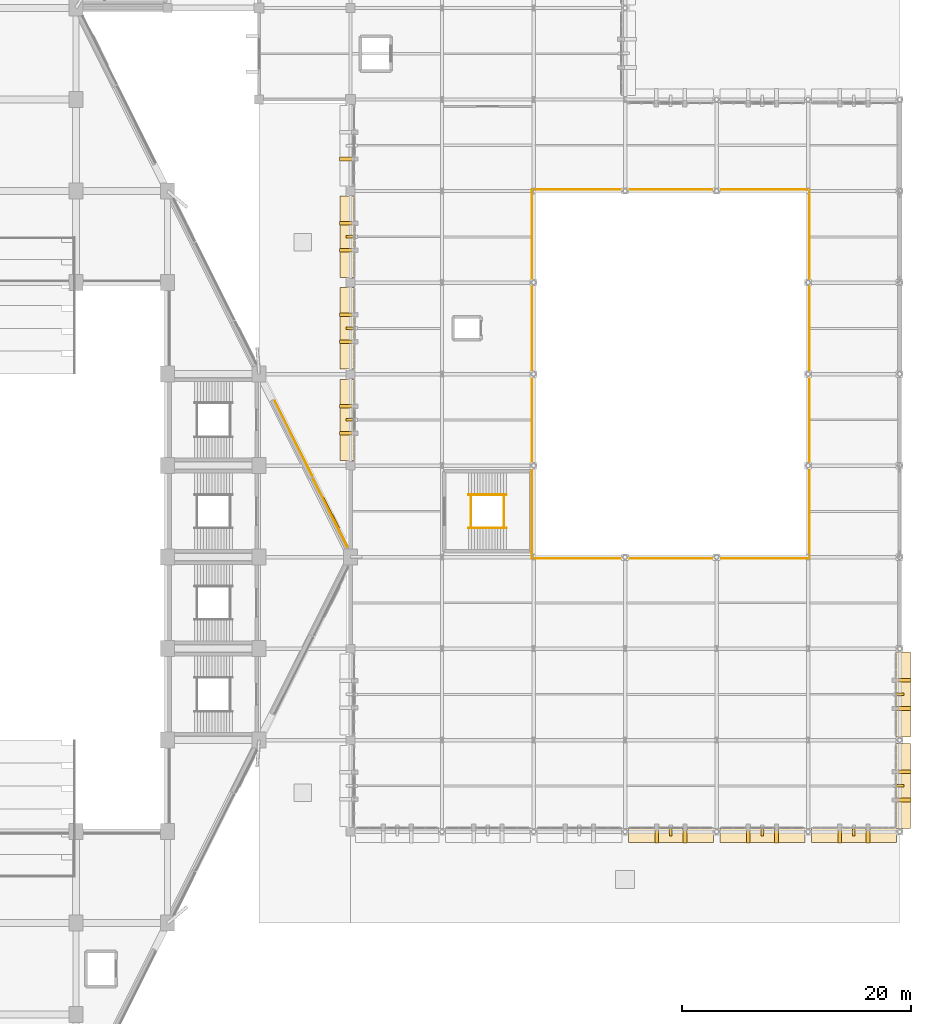
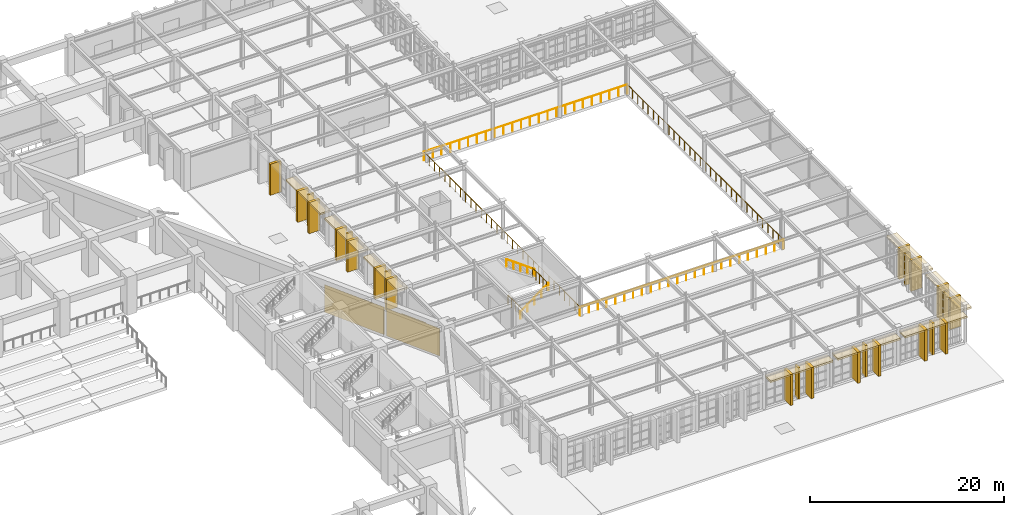
# One storey, part 154 of 155: 27 coverings, 9 shading devices, 8 railings.
"""IFC4 building model written with IfcOpenShell, lengths in metres."""

from ifc_helpers import new_model, si_unit, direction, frame, origin, origin_2d, place, context, subcontext, project, spatial, polyline, rectangle, circle, outline, extrude, material, layer, layer_set, type_object, element, save


model = new_model("IFC4")

# Units and contexts
model_context = context("Model", 3, precision=1e-05, world=origin(), true_north=direction((0.0, 1.0)))
body_context = subcontext(model_context, "Body", "Model", "MODEL_VIEW")
ifc_project = project(units=[si_unit("LENGTHUNIT", "METRE"), si_unit("AREAUNIT", "SQUARE_METRE"), si_unit("VOLUMEUNIT", "CUBIC_METRE"), si_unit("PLANEANGLEUNIT", "RADIAN"), si_unit("MASSUNIT", "GRAM", prefix="KILO")], contexts=[model_context])

# Site, building, storey
site_placement = place(None, origin())
site = spatial("IfcSite", under=ifc_project, at=site_placement, CompositionType="ELEMENT")
building_placement = place(site_placement, origin())
building = spatial("IfcBuilding", under=site, at=building_placement, Name="Tazarka Park Arena", CompositionType="ELEMENT")
storey_placement = place(building_placement, frame((0.0, 0.0, 5.39990234375)))
storey = spatial("IfcBuildingStorey", under=building, at=storey_placement, Name="L01", CompositionType="ELEMENT", Elevation=5.39990234375)

# Coverings
ifc_material_1 = material(Name="Dark ribbed perforated bronze-charcoal aluminium mesh", Category="aluminium")
ifc_layer_1 = layer(ifc_material_1, 0.06005859375, Name="Dark ribbed perforated bronze-charcoal aluminium mesh")
ifc_layer_set_1 = layer_set([ifc_layer_1], Name="Dark ribbed perforated bronze-charcoal aluminium mesh")
covering_type_1 = type_object("IfcCoveringType", Name="CLD-01", PredefinedType="CLADDING", material=ifc_layer_set_1)
covering_1_placement = place(storey_placement, frame((131.031494140625, 74.372802734375, 0.0), z_axis=(0.0, 0.0, 1.0), x_axis=(0.447290848419, -0.89438856037, 0.0)))
element("IfcCovering", 1, at=covering_1_placement, inside=storey, type_object=covering_type_1, Name="Ribbed Metal Mesh Cladding EW-L01-0169", PredefinedType="CLADDING", context=body_context, shape_type="SweptSolid", body=[
    extrude(rectangle(XDim=7.366455078125, YDim=0.06005859375, at=origin_2d()), origin(), (0.0, 0.0, 1.0), 3.449951171875),
])
covering_2_placement = place(storey_placement, frame((134.25439453125, 67.837890625, 0.0), z_axis=(0.0, 0.0, 1.0), x_axis=(0.447290848419, -0.89438856037, 0.0)))
element("IfcCovering", 2, at=covering_2_placement, inside=storey, type_object=covering_type_1, Name="Ribbed Metal Mesh Cladding EW-L01-0170", PredefinedType="CLADDING", context=body_context, shape_type="SweptSolid", body=[
    extrude(rectangle(XDim=6.606201171875, YDim=0.06005859375, at=origin_2d()), origin(), (0.0, 0.0, 1.0), 3.449951171875),
])
for number, where, z_axis, x_axis, name in (
    (3, (135.669921875, 98.8017578125, 0.0), (0.0, 0.0, 1.0), (0.0, 1.0, 0.0), "Brutalist Precast Brise-Soleil Blade L01-148-1"),
    (4, (135.669921875, 90.818359375, 0.0), (0.0, 0.0, 1.0), (0.0, 1.0, 0.0), "Brutalist Precast Brise-Soleil Blade L01-151-1"),
    (5, (135.669921875, 93.181640625, 0.0), (0.0, 0.0, 1.0), (0.0, 1.0, 0.0), "Brutalist Precast Brise-Soleil Blade L01-151-2"),
):
    element("IfcCovering", number, at=place(storey_placement, frame(where, z_axis=z_axis, x_axis=x_axis)), inside=storey, type_object=covering_type_1, Name=name, PredefinedType="CLADDING", context=body_context, shape_type="SweptSolid", body=[
        extrude(rectangle(XDim=0.320068359375, YDim=1.300048828125, at=origin_2d()), origin(), (0.0, 0.0, 1.0), 3.909912109375),
    ])
for number, where, z_axis, x_axis, name in (
    (6, (135.669921875, 82.818359375, 0.000244140625), (0.0, 0.0, 1.0), (0.0, 1.0, 0.0), "Brutalist Precast Brise-Soleil Blade L01-154-1"),
    (7, (135.669921875, 85.181640625, 0.000244140625), (0.0, 0.0, 1.0), (0.0, 1.0, 0.0), "Brutalist Precast Brise-Soleil Blade L01-154-2"),
    (8, (135.669921875, 74.818359375, 0.000244140625), (0.0, 0.0, 1.0), (0.0, 1.0, 0.0), "Brutalist Precast Brise-Soleil Blade L01-157-1"),
    (9, (135.669921875, 77.181640625, 0.000244140625), (0.0, 0.0, 1.0), (0.0, 1.0, 0.0), "Brutalist Precast Brise-Soleil Blade L01-157-2"),
):
    element("IfcCovering", number, at=place(storey_placement, frame(where, z_axis=z_axis, x_axis=x_axis)), inside=storey, type_object=covering_type_1, Name=name, PredefinedType="CLADDING", context=body_context, shape_type="SweptSolid", body=[
        extrude(rectangle(XDim=0.320068359375, YDim=1.300048828125, at=origin_2d()), origin(), (0.0, 0.0, 1.0), 3.89990234375),
    ])
for number, where, z_axis, x_axis, name in (
    (10, (165.239013671875, 39.669921875, 0.0), (0.0, 0.0, 1.0), (-1.0, 0.0, 0.0), "Brutalist Precast Brise-Soleil Blade L01-175-1"),
    (11, (162.760986328125, 39.669921875, 0.0), (0.0, 0.0, 1.0), (-1.0, 0.0, 0.0), "Brutalist Precast Brise-Soleil Blade L01-175-2"),
    (12, (173.239013671875, 39.669921875, 0.0), (0.0, 0.0, 1.0), (-1.0, 0.0, 0.0), "Brutalist Precast Brise-Soleil Blade L01-178-1"),
    (13, (170.760986328125, 39.669921875, 0.0), (0.0, 0.0, 1.0), (-1.0, 0.0, 0.0), "Brutalist Precast Brise-Soleil Blade L01-178-2"),
    (14, (181.239013671875, 39.669921875, 0.0), (0.0, 0.0, 1.0), (-1.0, 0.0, 0.0), "Brutalist Precast Brise-Soleil Blade L01-181-1"),
    (15, (178.760986328125, 39.669921875, 0.0), (0.0, 0.0, 1.0), (-1.0, 0.0, 0.0), "Brutalist Precast Brise-Soleil Blade L01-181-2"),
    (16, (184.330078125, 45.239013671875, 0.0), (0.0, 0.0, 1.0), (0.0, -1.0, 0.0), "Brutalist Precast Brise-Soleil Blade L01-184-1"),
    (17, (184.330078125, 42.760986328125, 0.0), (0.0, 0.0, 1.0), (0.0, -1.0, 0.0), "Brutalist Precast Brise-Soleil Blade L01-184-2"),
    (18, (184.330078125, 53.239013671875, 0.0), (0.0, 0.0, 1.0), (0.0, -1.0, 0.0), "Brutalist Precast Brise-Soleil Blade L01-187-1"),
    (19, (184.330078125, 50.760986328125, 0.0), (0.0, 0.0, 1.0), (0.0, -1.0, 0.0), "Brutalist Precast Brise-Soleil Blade L01-187-2"),
):
    element("IfcCovering", number, at=place(storey_placement, frame(where, z_axis=z_axis, x_axis=x_axis)), inside=storey, type_object=covering_type_1, Name=name, PredefinedType="CLADDING", context=body_context, shape_type="SweptSolid", body=[
        extrude(rectangle(XDim=0.320068359375, YDim=1.300048828125, at=origin_2d()), origin(), (0.0, 0.0, 1.0), 3.909912109375),
    ])

# Railings
ifc_material_2 = material(Name="Brushed architectural stainless steel", Category="steel")
railing_type_1 = type_object("IfcRailingType", Name="HR-01", PredefinedType="HANDRAIL", material=ifc_material_2)
railing_1_placement = place(storey_placement, frame((146.31494140625, 66.550048828125, 0.0)))
element("IfcRailing", 20, at=railing_1_placement, inside=storey, type_object=railing_type_1, Name="Stair Handrail ST18-L01-F1", PredefinedType="HANDRAIL", context=body_context, shape_type="SweptSolid", body=[
    extrude(circle(Radius=0.02392578125, at=origin_2d()), frame((0.0, 0.0, 0.89599609375), z_axis=(0.809980229442, 0.0, 0.586457183359), x_axis=(0.0, 1.0, 0.0)), (0.0, 0.0, 1.0), 4.092529296875),
    extrude(circle(Radius=0.02099609375, at=origin_2d()), origin(), (0.0, 0.0, 1.0), 0.871826171875),
    extrude(circle(Radius=0.02099609375, at=origin_2d()), frame((0.82861328125, 0.0, 0.60009765625)), (0.0, 0.0, 1.0), 0.871826171875),
    extrude(circle(Radius=0.02099609375, at=origin_2d()), frame((1.657470703125, 0.0, 1.2001953125)), (0.0, 0.0, 1.0), 0.871826171875),
    extrude(circle(Radius=0.02099609375, at=origin_2d()), frame((2.486328125, 0.0, 1.800048828125)), (0.0, 0.0, 1.0), 0.871826171875),
    extrude(circle(Radius=0.02099609375, at=origin_2d()), frame((3.31494140625, 0.0, 2.400146484375)), (0.0, 0.0, 1.0), 0.871826171875),
])
railing_2_placement = place(storey_placement, frame((149.6298828125, 69.449951171875, 2.400146484375)))
element("IfcRailing", 21, at=railing_2_placement, inside=storey, type_object=railing_type_1, Name="Stair Handrail ST18-L01-F2", PredefinedType="HANDRAIL", context=body_context, shape_type="SweptSolid", body=[
    extrude(circle(Radius=0.02392578125, at=origin_2d()), frame((0.0, 0.0, 0.89599609375), z_axis=(-0.810008566192, 0.0, 0.586418044312), x_axis=(0.0, -1.0, 0.0)), (0.0, 0.0, 1.0), 4.092529296875),
    extrude(circle(Radius=0.02099609375, at=origin_2d()), origin(), (0.0, 0.0, 1.0), 0.871826171875),
    extrude(circle(Radius=0.02099609375, at=origin_2d()), frame((-0.82861328125, 0.0, 0.60009765625)), (0.0, 0.0, 1.0), 0.871826171875),
    extrude(circle(Radius=0.02099609375, at=origin_2d()), frame((-1.657470703125, 0.0, 1.199951171875)), (0.0, 0.0, 1.0), 0.871826171875),
    extrude(circle(Radius=0.02099609375, at=origin_2d()), frame((-2.486328125, 0.0, 1.7998046875)), (0.0, 0.0, 1.0), 0.871826171875),
    extrude(circle(Radius=0.02099609375, at=origin_2d()), frame((-3.31494140625, 0.0, 2.39990234375)), (0.0, 0.0, 1.0), 0.871826171875),
])
ifc_material_3 = material(Name="Galvanised powder-coated architectural steel", Category="steel")
railing_type_2 = type_object("IfcRailingType", Name="IGR-01", PredefinedType="GUARDRAIL", material=ifc_material_3)
for number, where, name in (
    (22, (146.514892578125, 66.550048828125, 0.0), "Stair Well Guardrail ST18-L01"),
    (23, (149.429931640625, 66.550048828125, 2.400146484375), "Landing Guardrail ST18-L01-M"),
):
    element("IfcRailing", number, at=place(storey_placement, frame(where)), inside=storey, type_object=railing_type_2, Name=name, PredefinedType="GUARDRAIL", context=body_context, shape_type="SweptSolid", body=[
        extrude(circle(Radius=0.02392578125, at=origin_2d()), frame((0.0, 0.0, 1.1259765625), z_axis=(0.0, 1.0, 0.0), x_axis=(-1.0, 0.0, 0.0)), (0.0, 0.0, 1.0), 2.89990234375),
        extrude(circle(Radius=0.02099609375, at=origin_2d()), origin(), (0.0, 0.0, 1.0), 1.101806640625),
        extrude(circle(Radius=0.02099609375, at=origin_2d()), frame((0.0, 0.72509765625, 0.0)), (0.0, 0.0, 1.0), 1.101806640625),
        extrude(circle(Radius=0.02099609375, at=origin_2d()), frame((0.0, 1.449951171875, 0.0)), (0.0, 0.0, 1.0), 1.101806640625),
        extrude(circle(Radius=0.02099609375, at=origin_2d()), frame((0.0, 2.1748046875, 0.0)), (0.0, 0.0, 1.0), 1.101806640625),
        extrude(circle(Radius=0.02099609375, at=origin_2d()), frame((0.0, 2.89990234375, 0.0)), (0.0, 0.0, 1.0), 1.101806640625),
    ])
railing_3_placement = place(storey_placement, frame((151.8798828125, 63.8798828125, 0.0)))
element("IfcRailing", 24, at=railing_3_placement, inside=storey, type_object=railing_type_2, Name="Interior Barrier Guardrail IGR-01-023", PredefinedType="GUARDRAIL", context=body_context, shape_type="SweptSolid", body=[
    extrude(circle(Radius=0.02392578125, at=origin_2d()), frame((0.0, 0.0, 1.1259765625), z_axis=(1.0, 0.0, 0.0), x_axis=(0.0, 1.0, 0.0)), (0.0, 0.0, 1.0), 24.240234375),
    extrude(circle(Radius=0.02099609375, at=origin_2d()), origin(), (0.0, 0.0, 1.0), 1.101806640625),
    extrude(circle(Radius=0.02099609375, at=origin_2d()), frame((1.053955078125, 0.0, 0.0)), (0.0, 0.0, 1.0), 1.101806640625),
    extrude(circle(Radius=0.02099609375, at=origin_2d()), frame((2.10791015625, 0.0, 0.0)), (0.0, 0.0, 1.0), 1.101806640625),
    extrude(circle(Radius=0.02099609375, at=origin_2d()), frame((3.161865234375, 0.0, 0.0)), (0.0, 0.0, 1.0), 1.101806640625),
    extrude(circle(Radius=0.02099609375, at=origin_2d()), frame((4.215576171875, 0.0, 0.0)), (0.0, 0.0, 1.0), 1.101806640625),
    extrude(circle(Radius=0.02099609375, at=origin_2d()), frame((5.26953125, 0.0, 0.0)), (0.0, 0.0, 1.0), 1.101806640625),
    extrude(circle(Radius=0.02099609375, at=origin_2d()), frame((6.323486328125, 0.0, 0.0)), (0.0, 0.0, 1.0), 1.101806640625),
    extrude(circle(Radius=0.02099609375, at=origin_2d()), frame((7.37744140625, 0.0, 0.0)), (0.0, 0.0, 1.0), 1.101806640625),
    extrude(circle(Radius=0.02099609375, at=origin_2d()), frame((8.431396484375, 0.0, 0.0)), (0.0, 0.0, 1.0), 1.101806640625),
    extrude(circle(Radius=0.02099609375, at=origin_2d()), frame((9.4853515625, 0.0, 0.0)), (0.0, 0.0, 1.0), 1.101806640625),
    extrude(circle(Radius=0.02099609375, at=origin_2d()), frame((10.539306640625, 0.0, 0.0)), (0.0, 0.0, 1.0), 1.101806640625),
    extrude(circle(Radius=0.02099609375, at=origin_2d()), frame((11.59326171875, 0.0, 0.0)), (0.0, 0.0, 1.0), 1.101806640625),
    extrude(circle(Radius=0.02099609375, at=origin_2d()), frame((12.64697265625, 0.0, 0.0)), (0.0, 0.0, 1.0), 1.101806640625),
    extrude(circle(Radius=0.02099609375, at=origin_2d()), frame((13.700927734375, 0.0, 0.0)), (0.0, 0.0, 1.0), 1.101806640625),
    extrude(circle(Radius=0.02099609375, at=origin_2d()), frame((14.7548828125, 0.0, 0.0)), (0.0, 0.0, 1.0), 1.101806640625),
    extrude(circle(Radius=0.02099609375, at=origin_2d()), frame((15.808837890625, 0.0, 0.0)), (0.0, 0.0, 1.0), 1.101806640625),
    extrude(circle(Radius=0.02099609375, at=origin_2d()), frame((16.86279296875, 0.0, 0.0)), (0.0, 0.0, 1.0), 1.101806640625),
    extrude(circle(Radius=0.02099609375, at=origin_2d()), frame((17.916748046875, 0.0, 0.0)), (0.0, 0.0, 1.0), 1.101806640625),
    extrude(circle(Radius=0.02099609375, at=origin_2d()), frame((18.970703125, 0.0, 0.0)), (0.0, 0.0, 1.0), 1.101806640625),
    extrude(circle(Radius=0.02099609375, at=origin_2d()), frame((20.024658203125, 0.0, 0.0)), (0.0, 0.0, 1.0), 1.101806640625),
    extrude(circle(Radius=0.02099609375, at=origin_2d()), frame((21.078369140625, 0.0, 0.0)), (0.0, 0.0, 1.0), 1.101806640625),
    extrude(circle(Radius=0.02099609375, at=origin_2d()), frame((22.13232421875, 0.0, 0.0)), (0.0, 0.0, 1.0), 1.101806640625),
    extrude(circle(Radius=0.02099609375, at=origin_2d()), frame((23.186279296875, 0.0, 0.0)), (0.0, 0.0, 1.0), 1.101806640625),
    extrude(circle(Radius=0.02099609375, at=origin_2d()), frame((24.240234375, 0.0, 0.0)), (0.0, 0.0, 1.0), 1.101806640625),
])
railing_4_placement = place(storey_placement, frame((176.1201171875, 63.8798828125, 0.0)))
element("IfcRailing", 25, at=railing_4_placement, inside=storey, type_object=railing_type_2, Name="Interior Barrier Guardrail IGR-01-024", PredefinedType="GUARDRAIL", context=body_context, shape_type="SweptSolid", body=[
    extrude(circle(Radius=0.02392578125, at=origin_2d()), frame((0.0, 0.0, 1.1259765625), z_axis=(0.0, 1.0, 0.0), x_axis=(-1.0, 0.0, 0.0)), (0.0, 0.0, 1.0), 32.240234375),
    extrude(circle(Radius=0.02099609375, at=origin_2d()), origin(), (0.0, 0.0, 1.0), 1.101806640625),
    extrude(circle(Radius=0.02099609375, at=origin_2d()), frame((0.0, 1.07470703125, 0.0)), (0.0, 0.0, 1.0), 1.101806640625),
    extrude(circle(Radius=0.02099609375, at=origin_2d()), frame((0.0, 2.1494140625, 0.0)), (0.0, 0.0, 1.0), 1.101806640625),
    extrude(circle(Radius=0.02099609375, at=origin_2d()), frame((0.0, 3.22412109375, 0.0)), (0.0, 0.0, 1.0), 1.101806640625),
    extrude(circle(Radius=0.02099609375, at=origin_2d()), frame((0.0, 4.298583984375, 0.0)), (0.0, 0.0, 1.0), 1.101806640625),
    extrude(circle(Radius=0.02099609375, at=origin_2d()), frame((0.0, 5.373291015625, 0.0)), (0.0, 0.0, 1.0), 1.101806640625),
    extrude(circle(Radius=0.02099609375, at=origin_2d()), frame((0.0, 6.447998046875, 0.0)), (0.0, 0.0, 1.0), 1.101806640625),
    extrude(circle(Radius=0.02099609375, at=origin_2d()), frame((0.0, 7.522705078125, 0.0)), (0.0, 0.0, 1.0), 1.101806640625),
    extrude(circle(Radius=0.02099609375, at=origin_2d()), frame((0.0, 8.597412109375, 0.0)), (0.0, 0.0, 1.0), 1.101806640625),
    extrude(circle(Radius=0.02099609375, at=origin_2d()), frame((0.0, 9.672119140625, 0.0)), (0.0, 0.0, 1.0), 1.101806640625),
    extrude(circle(Radius=0.02099609375, at=origin_2d()), frame((0.0, 10.746826171875, 0.0)), (0.0, 0.0, 1.0), 1.101806640625),
    extrude(circle(Radius=0.02099609375, at=origin_2d()), frame((0.0, 11.821533203125, 0.0)), (0.0, 0.0, 1.0), 1.101806640625),
    extrude(circle(Radius=0.02099609375, at=origin_2d()), frame((0.0, 12.89599609375, 0.0)), (0.0, 0.0, 1.0), 1.101806640625),
    extrude(circle(Radius=0.02099609375, at=origin_2d()), frame((0.0, 13.970703125, 0.0)), (0.0, 0.0, 1.0), 1.101806640625),
    extrude(circle(Radius=0.02099609375, at=origin_2d()), frame((0.0, 15.04541015625, 0.0)), (0.0, 0.0, 1.0), 1.101806640625),
    extrude(circle(Radius=0.02099609375, at=origin_2d()), frame((0.0, 16.1201171875, 0.0)), (0.0, 0.0, 1.0), 1.101806640625),
    extrude(circle(Radius=0.02099609375, at=origin_2d()), frame((0.0, 17.19482421875, 0.0)), (0.0, 0.0, 1.0), 1.101806640625),
    extrude(circle(Radius=0.02099609375, at=origin_2d()), frame((0.0, 18.26953125, 0.0)), (0.0, 0.0, 1.0), 1.101806640625),
    extrude(circle(Radius=0.02099609375, at=origin_2d()), frame((0.0, 19.34423828125, 0.0)), (0.0, 0.0, 1.0), 1.101806640625),
    extrude(circle(Radius=0.02099609375, at=origin_2d()), frame((0.0, 20.418701171875, 0.0)), (0.0, 0.0, 1.0), 1.101806640625),
    extrude(circle(Radius=0.02099609375, at=origin_2d()), frame((0.0, 21.493408203125, 0.0)), (0.0, 0.0, 1.0), 1.101806640625),
    extrude(circle(Radius=0.02099609375, at=origin_2d()), frame((0.0, 22.568115234375, 0.0)), (0.0, 0.0, 1.0), 1.101806640625),
    extrude(circle(Radius=0.02099609375, at=origin_2d()), frame((0.0, 23.642822265625, 0.0)), (0.0, 0.0, 1.0), 1.101806640625),
    extrude(circle(Radius=0.02099609375, at=origin_2d()), frame((0.0, 24.717529296875, 0.0)), (0.0, 0.0, 1.0), 1.101806640625),
    extrude(circle(Radius=0.02099609375, at=origin_2d()), frame((0.0, 25.792236328125, 0.0)), (0.0, 0.0, 1.0), 1.101806640625),
    extrude(circle(Radius=0.02099609375, at=origin_2d()), frame((0.0, 26.866943359375, 0.0)), (0.0, 0.0, 1.0), 1.101806640625),
    extrude(circle(Radius=0.02099609375, at=origin_2d()), frame((0.0, 27.941650390625, 0.0)), (0.0, 0.0, 1.0), 1.101806640625),
    extrude(circle(Radius=0.02099609375, at=origin_2d()), frame((0.0, 29.01611328125, 0.0)), (0.0, 0.0, 1.0), 1.101806640625),
    extrude(circle(Radius=0.02099609375, at=origin_2d()), frame((0.0, 30.0908203125, 0.0)), (0.0, 0.0, 1.0), 1.101806640625),
    extrude(circle(Radius=0.02099609375, at=origin_2d()), frame((0.0, 31.16552734375, 0.0)), (0.0, 0.0, 1.0), 1.101806640625),
    extrude(circle(Radius=0.02099609375, at=origin_2d()), frame((0.0, 32.240234375, 0.0)), (0.0, 0.0, 1.0), 1.101806640625),
])
railing_5_placement = place(storey_placement, frame((176.1201171875, 96.1201171875, 0.0)))
element("IfcRailing", 26, at=railing_5_placement, inside=storey, type_object=railing_type_2, Name="Interior Barrier Guardrail IGR-01-025", PredefinedType="GUARDRAIL", context=body_context, shape_type="SweptSolid", body=[
    extrude(circle(Radius=0.02392578125, at=origin_2d()), frame((0.0, 0.0, 1.1259765625), z_axis=(-1.0, 0.0, 0.0), x_axis=(0.0, -1.0, 0.0)), (0.0, 0.0, 1.0), 24.240234375),
    extrude(circle(Radius=0.02099609375, at=origin_2d()), origin(), (0.0, 0.0, 1.0), 1.101806640625),
    extrude(circle(Radius=0.02099609375, at=origin_2d()), frame((-1.053955078125, 0.0, 0.0)), (0.0, 0.0, 1.0), 1.101806640625),
    extrude(circle(Radius=0.02099609375, at=origin_2d()), frame((-2.10791015625, 0.0, 0.0)), (0.0, 0.0, 1.0), 1.101806640625),
    extrude(circle(Radius=0.02099609375, at=origin_2d()), frame((-3.161865234375, 0.0, 0.0)), (0.0, 0.0, 1.0), 1.101806640625),
    extrude(circle(Radius=0.02099609375, at=origin_2d()), frame((-4.215576171875, 0.0, 0.0)), (0.0, 0.0, 1.0), 1.101806640625),
    extrude(circle(Radius=0.02099609375, at=origin_2d()), frame((-5.26953125, 0.0, 0.0)), (0.0, 0.0, 1.0), 1.101806640625),
    extrude(circle(Radius=0.02099609375, at=origin_2d()), frame((-6.323486328125, 0.0, 0.0)), (0.0, 0.0, 1.0), 1.101806640625),
    extrude(circle(Radius=0.02099609375, at=origin_2d()), frame((-7.37744140625, 0.0, 0.0)), (0.0, 0.0, 1.0), 1.101806640625),
    extrude(circle(Radius=0.02099609375, at=origin_2d()), frame((-8.431396484375, 0.0, 0.0)), (0.0, 0.0, 1.0), 1.101806640625),
    extrude(circle(Radius=0.02099609375, at=origin_2d()), frame((-9.4853515625, 0.0, 0.0)), (0.0, 0.0, 1.0), 1.101806640625),
    extrude(circle(Radius=0.02099609375, at=origin_2d()), frame((-10.539306640625, 0.0, 0.0)), (0.0, 0.0, 1.0), 1.101806640625),
    extrude(circle(Radius=0.02099609375, at=origin_2d()), frame((-11.59326171875, 0.0, 0.0)), (0.0, 0.0, 1.0), 1.101806640625),
    extrude(circle(Radius=0.02099609375, at=origin_2d()), frame((-12.64697265625, 0.0, 0.0)), (0.0, 0.0, 1.0), 1.101806640625),
    extrude(circle(Radius=0.02099609375, at=origin_2d()), frame((-13.700927734375, 0.0, 0.0)), (0.0, 0.0, 1.0), 1.101806640625),
    extrude(circle(Radius=0.02099609375, at=origin_2d()), frame((-14.7548828125, 0.0, 0.0)), (0.0, 0.0, 1.0), 1.101806640625),
    extrude(circle(Radius=0.02099609375, at=origin_2d()), frame((-15.808837890625, 0.0, 0.0)), (0.0, 0.0, 1.0), 1.101806640625),
    extrude(circle(Radius=0.02099609375, at=origin_2d()), frame((-16.86279296875, 0.0, 0.0)), (0.0, 0.0, 1.0), 1.101806640625),
    extrude(circle(Radius=0.02099609375, at=origin_2d()), frame((-17.916748046875, 0.0, 0.0)), (0.0, 0.0, 1.0), 1.101806640625),
    extrude(circle(Radius=0.02099609375, at=origin_2d()), frame((-18.970703125, 0.0, 0.0)), (0.0, 0.0, 1.0), 1.101806640625),
    extrude(circle(Radius=0.02099609375, at=origin_2d()), frame((-20.024658203125, 0.0, 0.0)), (0.0, 0.0, 1.0), 1.101806640625),
    extrude(circle(Radius=0.02099609375, at=origin_2d()), frame((-21.078369140625, 0.0, 0.0)), (0.0, 0.0, 1.0), 1.101806640625),
    extrude(circle(Radius=0.02099609375, at=origin_2d()), frame((-22.13232421875, 0.0, 0.0)), (0.0, 0.0, 1.0), 1.101806640625),
    extrude(circle(Radius=0.02099609375, at=origin_2d()), frame((-23.186279296875, 0.0, 0.0)), (0.0, 0.0, 1.0), 1.101806640625),
    extrude(circle(Radius=0.02099609375, at=origin_2d()), frame((-24.240234375, 0.0, 0.0)), (0.0, 0.0, 1.0), 1.101806640625),
])
railing_6_placement = place(storey_placement, frame((151.8798828125, 96.1201171875, 0.0)))
element("IfcRailing", 27, at=railing_6_placement, inside=storey, type_object=railing_type_2, Name="Interior Barrier Guardrail IGR-01-026", PredefinedType="GUARDRAIL", context=body_context, shape_type="SweptSolid", body=[
    extrude(circle(Radius=0.02392578125, at=origin_2d()), frame((0.0, 0.0, 1.1259765625), z_axis=(0.0, -1.0, 0.0), x_axis=(1.0, 0.0, 0.0)), (0.0, 0.0, 1.0), 32.240234375),
    extrude(circle(Radius=0.02099609375, at=origin_2d()), origin(), (0.0, 0.0, 1.0), 1.101806640625),
    extrude(circle(Radius=0.02099609375, at=origin_2d()), frame((0.0, -1.07470703125, 0.0)), (0.0, 0.0, 1.0), 1.101806640625),
    extrude(circle(Radius=0.02099609375, at=origin_2d()), frame((0.0, -2.1494140625, 0.0)), (0.0, 0.0, 1.0), 1.101806640625),
    extrude(circle(Radius=0.02099609375, at=origin_2d()), frame((0.0, -3.22412109375, 0.0)), (0.0, 0.0, 1.0), 1.101806640625),
    extrude(circle(Radius=0.02099609375, at=origin_2d()), frame((0.0, -4.298583984375, 0.0)), (0.0, 0.0, 1.0), 1.101806640625),
    extrude(circle(Radius=0.02099609375, at=origin_2d()), frame((0.0, -5.373291015625, 0.0)), (0.0, 0.0, 1.0), 1.101806640625),
    extrude(circle(Radius=0.02099609375, at=origin_2d()), frame((0.0, -6.447998046875, 0.0)), (0.0, 0.0, 1.0), 1.101806640625),
    extrude(circle(Radius=0.02099609375, at=origin_2d()), frame((0.0, -7.522705078125, 0.0)), (0.0, 0.0, 1.0), 1.101806640625),
    extrude(circle(Radius=0.02099609375, at=origin_2d()), frame((0.0, -8.597412109375, 0.0)), (0.0, 0.0, 1.0), 1.101806640625),
    extrude(circle(Radius=0.02099609375, at=origin_2d()), frame((0.0, -9.672119140625, 0.0)), (0.0, 0.0, 1.0), 1.101806640625),
    extrude(circle(Radius=0.02099609375, at=origin_2d()), frame((0.0, -10.746826171875, 0.0)), (0.0, 0.0, 1.0), 1.101806640625),
    extrude(circle(Radius=0.02099609375, at=origin_2d()), frame((0.0, -11.821533203125, 0.0)), (0.0, 0.0, 1.0), 1.101806640625),
    extrude(circle(Radius=0.02099609375, at=origin_2d()), frame((0.0, -12.89599609375, 0.0)), (0.0, 0.0, 1.0), 1.101806640625),
    extrude(circle(Radius=0.02099609375, at=origin_2d()), frame((0.0, -13.970703125, 0.0)), (0.0, 0.0, 1.0), 1.101806640625),
    extrude(circle(Radius=0.02099609375, at=origin_2d()), frame((0.0, -15.04541015625, 0.0)), (0.0, 0.0, 1.0), 1.101806640625),
    extrude(circle(Radius=0.02099609375, at=origin_2d()), frame((0.0, -16.1201171875, 0.0)), (0.0, 0.0, 1.0), 1.101806640625),
    extrude(circle(Radius=0.02099609375, at=origin_2d()), frame((0.0, -17.19482421875, 0.0)), (0.0, 0.0, 1.0), 1.101806640625),
    extrude(circle(Radius=0.02099609375, at=origin_2d()), frame((0.0, -18.26953125, 0.0)), (0.0, 0.0, 1.0), 1.101806640625),
    extrude(circle(Radius=0.02099609375, at=origin_2d()), frame((0.0, -19.34423828125, 0.0)), (0.0, 0.0, 1.0), 1.101806640625),
    extrude(circle(Radius=0.02099609375, at=origin_2d()), frame((0.0, -20.418701171875, 0.0)), (0.0, 0.0, 1.0), 1.101806640625),
    extrude(circle(Radius=0.02099609375, at=origin_2d()), frame((0.0, -21.493408203125, 0.0)), (0.0, 0.0, 1.0), 1.101806640625),
    extrude(circle(Radius=0.02099609375, at=origin_2d()), frame((0.0, -22.568115234375, 0.0)), (0.0, 0.0, 1.0), 1.101806640625),
    extrude(circle(Radius=0.02099609375, at=origin_2d()), frame((0.0, -23.642822265625, 0.0)), (0.0, 0.0, 1.0), 1.101806640625),
    extrude(circle(Radius=0.02099609375, at=origin_2d()), frame((0.0, -24.717529296875, 0.0)), (0.0, 0.0, 1.0), 1.101806640625),
    extrude(circle(Radius=0.02099609375, at=origin_2d()), frame((0.0, -25.792236328125, 0.0)), (0.0, 0.0, 1.0), 1.101806640625),
    extrude(circle(Radius=0.02099609375, at=origin_2d()), frame((0.0, -26.866943359375, 0.0)), (0.0, 0.0, 1.0), 1.101806640625),
    extrude(circle(Radius=0.02099609375, at=origin_2d()), frame((0.0, -27.941650390625, 0.0)), (0.0, 0.0, 1.0), 1.101806640625),
    extrude(circle(Radius=0.02099609375, at=origin_2d()), frame((0.0, -29.01611328125, 0.0)), (0.0, 0.0, 1.0), 1.101806640625),
    extrude(circle(Radius=0.02099609375, at=origin_2d()), frame((0.0, -30.0908203125, 0.0)), (0.0, 0.0, 1.0), 1.101806640625),
    extrude(circle(Radius=0.02099609375, at=origin_2d()), frame((0.0, -31.16552734375, 0.0)), (0.0, 0.0, 1.0), 1.101806640625),
    extrude(circle(Radius=0.02099609375, at=origin_2d()), frame((0.0, -32.240234375, 0.0)), (0.0, 0.0, 1.0), 1.101806640625),
])

# Coverings
ifc_material_4 = material(Name="Standing-seam acoustic aluminium roofing membrane", Category="aluminium")
ifc_layer_2 = layer(ifc_material_4, 0.050048828125, Name="Standing-seam acoustic aluminium roofing membrane")
ifc_layer_set_2 = layer_set([ifc_layer_2], Name="Standing-seam acoustic aluminium roofing membrane")
covering_type_2 = type_object("IfcCoveringType", Name="RFG-01", PredefinedType="ROOFING", material=ifc_layer_set_2)
covering_3_placement = place(storey_placement, frame((0.0, 0.0, 3.670166015625)))
element("IfcCovering", 28, at=covering_3_placement, inside=storey, type_object=covering_type_2, Name="Brutalist Sun-Hood Overhang L01-151", PredefinedType="ROOFING", context=body_context, shape_type="SweptSolid", body=[
    extrude(outline(polyline([(136.320068359375, 88.455078125), (136.320068359375, 95.544921875), (135.070068359375, 95.544921875), (135.070068359375, 88.455078125), (136.320068359375, 88.455078125)])), origin(), (0.0, 0.0, 1.0), 0.219970703125),
])
covering_4_placement = place(storey_placement, frame((0.0, 0.0, 3.66015625)))
element("IfcCovering", 29, at=covering_4_placement, inside=storey, type_object=covering_type_2, Name="Brutalist Sun-Hood Overhang L01-154", PredefinedType="ROOFING", context=body_context, shape_type="SweptSolid", body=[
    extrude(outline(polyline([(136.320068359375, 80.455078125), (136.320068359375, 87.544921875), (135.070068359375, 87.544921875), (135.070068359375, 80.455078125), (136.320068359375, 80.455078125)])), origin(), (0.0, 0.0, 1.0), 0.219970703125),
])
covering_5_placement = place(storey_placement, frame((0.0, 0.0, 3.66015625)))
element("IfcCovering", 30, at=covering_5_placement, inside=storey, type_object=covering_type_2, Name="Brutalist Sun-Hood Overhang L01-157", PredefinedType="ROOFING", context=body_context, shape_type="SweptSolid", body=[
    extrude(outline(polyline([(136.320068359375, 72.455078125), (136.320068359375, 79.544921875), (135.070068359375, 79.544921875), (135.070068359375, 72.455078125), (136.320068359375, 72.455078125)])), origin(), (0.0, 0.0, 1.0), 0.219970703125),
])
covering_6_placement = place(storey_placement, frame((0.0, 0.0, 3.670166015625)))
element("IfcCovering", 31, at=covering_6_placement, inside=storey, type_object=covering_type_2, Name="Brutalist Sun-Hood Overhang L01-175", PredefinedType="ROOFING", context=body_context, shape_type="SweptSolid", body=[
    extrude(outline(polyline([(167.716796875, 40.320068359375), (160.283203125, 40.320068359375), (160.283203125, 39.070068359375), (167.716796875, 39.070068359375), (167.716796875, 40.320068359375)])), origin(), (0.0, 0.0, 1.0), 0.219970703125),
])
covering_7_placement = place(storey_placement, frame((0.0, 0.0, 3.670166015625)))
element("IfcCovering", 32, at=covering_7_placement, inside=storey, type_object=covering_type_2, Name="Brutalist Sun-Hood Overhang L01-178", PredefinedType="ROOFING", context=body_context, shape_type="SweptSolid", body=[
    extrude(outline(polyline([(175.716796875, 40.320068359375), (168.283203125, 40.320068359375), (168.283203125, 39.070068359375), (175.716796875, 39.070068359375), (175.716796875, 40.320068359375)])), origin(), (0.0, 0.0, 1.0), 0.219970703125),
])
covering_8_placement = place(storey_placement, frame((0.0, 0.0, 3.670166015625)))
element("IfcCovering", 33, at=covering_8_placement, inside=storey, type_object=covering_type_2, Name="Brutalist Sun-Hood Overhang L01-181", PredefinedType="ROOFING", context=body_context, shape_type="SweptSolid", body=[
    extrude(outline(polyline([(183.716796875, 40.320068359375), (176.283203125, 40.320068359375), (176.283203125, 39.070068359375), (183.716796875, 39.070068359375), (183.716796875, 40.320068359375)])), origin(), (0.0, 0.0, 1.0), 0.219970703125),
])
covering_9_placement = place(storey_placement, frame((0.0, 0.0, 3.670166015625)))
element("IfcCovering", 34, at=covering_9_placement, inside=storey, type_object=covering_type_2, Name="Brutalist Sun-Hood Overhang L01-184", PredefinedType="ROOFING", context=body_context, shape_type="SweptSolid", body=[
    extrude(outline(polyline([(183.679931640625, 47.716796875), (183.679931640625, 40.283203125), (184.929931640625, 40.283203125), (184.929931640625, 47.716796875), (183.679931640625, 47.716796875)])), origin(), (0.0, 0.0, 1.0), 0.219970703125),
])
covering_10_placement = place(storey_placement, frame((0.0, 0.0, 3.670166015625)))
element("IfcCovering", 35, at=covering_10_placement, inside=storey, type_object=covering_type_2, Name="Brutalist Sun-Hood Overhang L01-187", PredefinedType="ROOFING", context=body_context, shape_type="SweptSolid", body=[
    extrude(outline(polyline([(183.679931640625, 55.716796875), (183.679931640625, 48.283203125), (184.929931640625, 48.283203125), (184.929931640625, 55.716796875), (183.679931640625, 55.716796875)])), origin(), (0.0, 0.0, 1.0), 0.219970703125),
])

# Shading devices
ifc_material_5 = material(Name="Precast concrete C40/50", Category="concrete")
shading_device_type_1 = type_object("IfcShadingDeviceType", Name="SHD-01", PredefinedType="SHUTTER", material=ifc_material_5)
shading_device_1_placement = place(storey_placement, frame((135.97998046875, 92.0, -0.0400390625), z_axis=(0.0, 0.0, 1.0), x_axis=(0.0, 1.0, 0.0)))
element("IfcShadingDevice", 36, at=shading_device_1_placement, inside=storey, type_object=shading_device_type_1, Name="Brise-Soleil Fin BS-051", PredefinedType="SHUTTER", context=body_context, shape_type="SweptSolid", body=[
    extrude(rectangle(XDim=0.219970703125, YDim=0.719970703125, at=origin_2d()), origin(), (0.0, 0.0, 1.0), 3.989990234375),
])
for number, where, z_axis, x_axis, name in (
    (37, (135.97998046875, 84.0, -0.039794921875), (0.0, 0.0, 1.0), (0.0, 1.0, 0.0), "Brise-Soleil Fin BS-052"),
    (38, (135.97998046875, 76.0, -0.039794921875), (0.0, 0.0, 1.0), (0.0, 1.0, 0.0), "Brise-Soleil Fin BS-053"),
):
    element("IfcShadingDevice", number, at=place(storey_placement, frame(where, z_axis=z_axis, x_axis=x_axis)), inside=storey, type_object=shading_device_type_1, Name=name, PredefinedType="SHUTTER", context=body_context, shape_type="SweptSolid", body=[
        extrude(rectangle(XDim=0.219970703125, YDim=0.719970703125, at=origin_2d()), origin(), (0.0, 0.0, 1.0), 3.97998046875),
    ])
for number, where, z_axis, x_axis, name in (
    (39, (164.0, 39.97998046875, -0.0400390625), (0.0, 0.0, 1.0), (-1.0, 0.0, 0.0), "Brise-Soleil Fin BS-059"),
    (40, (172.0, 39.97998046875, -0.0400390625), (0.0, 0.0, 1.0), (-1.0, 0.0, 0.0), "Brise-Soleil Fin BS-060"),
    (41, (180.0, 39.97998046875, -0.0400390625), (0.0, 0.0, 1.0), (-1.0, 0.0, 0.0), "Brise-Soleil Fin BS-061"),
    (42, (184.02001953125, 44.0, -0.0400390625), (0.0, 0.0, 1.0), (0.0, -1.0, 0.0), "Brise-Soleil Fin BS-062"),
    (43, (184.02001953125, 52.0, -0.0400390625), (0.0, 0.0, 1.0), (0.0, -1.0, 0.0), "Brise-Soleil Fin BS-063"),
):
    element("IfcShadingDevice", number, at=place(storey_placement, frame(where, z_axis=z_axis, x_axis=x_axis)), inside=storey, type_object=shading_device_type_1, Name=name, PredefinedType="SHUTTER", context=body_context, shape_type="SweptSolid", body=[
        extrude(rectangle(XDim=0.219970703125, YDim=0.719970703125, at=origin_2d()), origin(), (0.0, 0.0, 1.0), 3.989990234375),
    ])
ifc_material_6 = material(Name="Dark ribbed perforated bronze-charcoal aluminium mesh", Category="aluminium")
shading_device_type_2 = type_object("IfcShadingDeviceType", Name="SHD-02", PredefinedType="JALOUSIE", material=ifc_material_6)
shading_device_2_placement = place(storey_placement, frame((134.30810546875, 67.86474609375, 0.0), z_axis=(0.0, 0.0, 1.0), x_axis=(0.447290848419, -0.89438856037, 0.0)))
element("IfcShadingDevice", 44, at=shading_device_2_placement, inside=storey, type_object=shading_device_type_2, Name="Perforated Mesh Screen EW-L01-0170", PredefinedType="JALOUSIE", context=body_context, shape_type="SweptSolid", body=[
    extrude(rectangle(XDim=3.0, YDim=0.139892578125, at=origin_2d()), origin(), (0.0, 0.0, 1.0), 3.449951171875),
])

save(model, "model.ifc")
